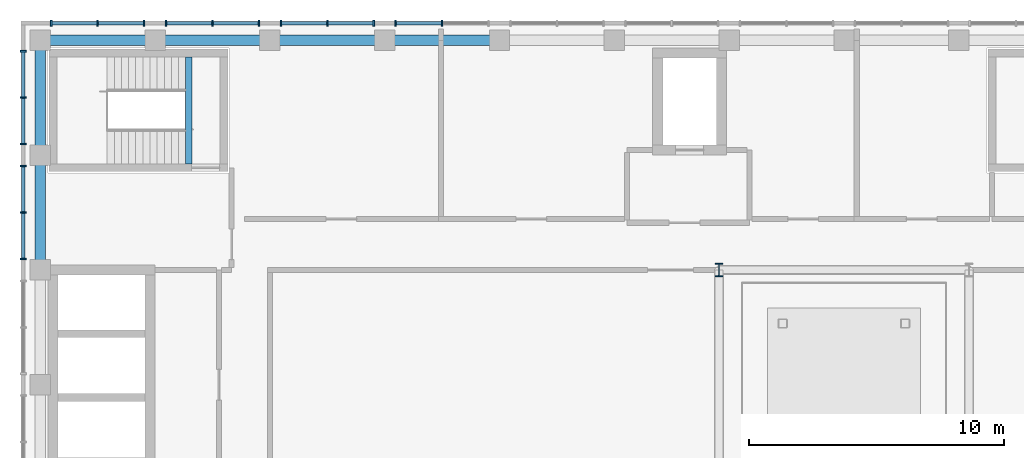
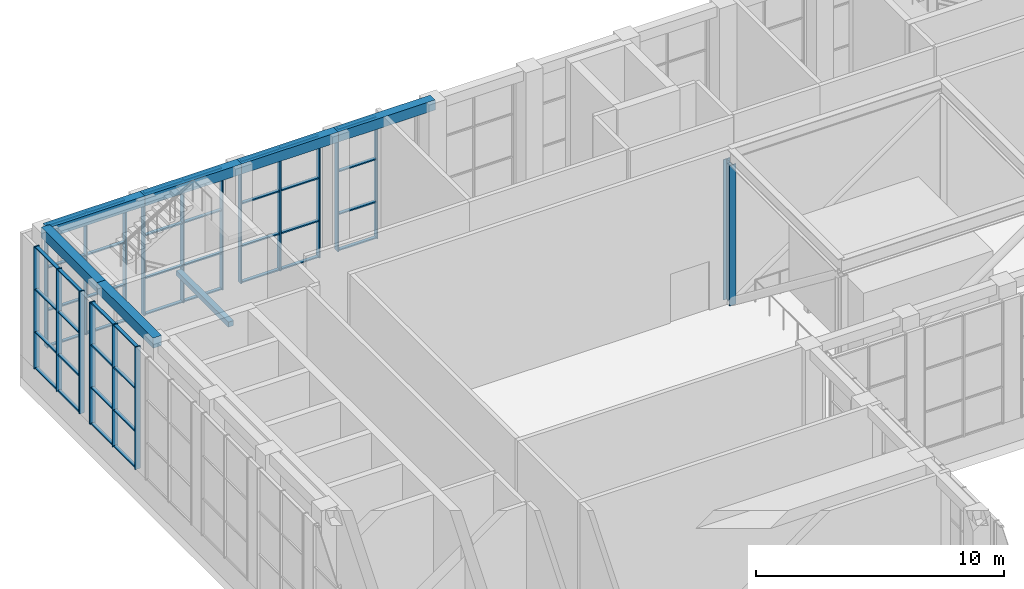
# One storey, part 6 of 17: 62 members, 7 beams, 6 elements without a shape of their own.
"""IFC4 building model written with IfcOpenShell, lengths in metres."""

from ifc_helpers import new_model, si_unit, direction, frame, origin, origin_2d, place, context, subcontext, project, spatial, rectangle, i_section, extrude, material, material_profile, profile_set, type_object, element, aggregate, save


model = new_model("IFC4")

# Units and contexts
model_context = context("Model", 3, precision=1e-05, world=origin(), true_north=direction((0.0, 1.0)))
body_context = subcontext(model_context, "Body", "Model", "MODEL_VIEW")
ifc_project = project(units=[si_unit("LENGTHUNIT", "METRE"), si_unit("AREAUNIT", "SQUARE_METRE"), si_unit("VOLUMEUNIT", "CUBIC_METRE"), si_unit("PLANEANGLEUNIT", "RADIAN"), si_unit("MASSUNIT", "GRAM", prefix="KILO")], contexts=[model_context])

# Site, building, storey
site_placement = place(None, origin())
site = spatial("IfcSite", under=ifc_project, at=site_placement, CompositionType="ELEMENT")
building_placement = place(site_placement, origin())
building = spatial("IfcBuilding", under=site, at=building_placement, Name="Firuza Court", CompositionType="ELEMENT")
storey_placement = place(building_placement, frame((0.0, 0.0, 258.199951171875)))
storey = spatial("IfcBuildingStorey", under=building, at=storey_placement, Name="L67", CompositionType="ELEMENT", Elevation=258.199951171875)

# Member
ifc_material_1 = material(Name="Steel S355", Category="steel")
ifc_material_profile_1 = material_profile(ifc_material_1, i_section(OverallWidth=0.305908203125, OverallDepth=0.52392578125, WebThickness=0.02099609375, FlangeThickness=0.0400390625, FilletRadius=0.027099609375, at=origin_2d()), Name="HE 500 M")
ifc_profile_set_1 = profile_set([ifc_material_profile_1], Name="Steel S355")
member_type_1 = type_object("IfcMemberType", Name="Damper frame column HE 500 M S355", PredefinedType="POST", material=ifc_profile_set_1)
member_1_placement = place(storey_placement, frame((26.60009765625, 49.5, 0.0), z_axis=(0.0, 0.0, 1.0), x_axis=(1.0, 0.0, 0.0)))
element("IfcMember", 1, at=member_1_placement, inside=storey, type_object=member_type_1, Name="Damper frame column TF1 L67", PredefinedType="POST", context=body_context, shape_type="SweptSolid", body=[
    extrude(i_section(OverallWidth=0.305908203125, OverallDepth=0.52392578125, WebThickness=0.02099609375, FlangeThickness=0.0400390625, FilletRadius=0.027099609375, at=origin_2d()), origin(), (0.0, 0.0, 1.0), 6.900146484375),
])

# Beam
ifc_material_2 = material(Name="Concrete C40/50", Category="concrete")
ifc_material_profile_2 = material_profile(ifc_material_2, rectangle(XDim=0.25, YDim=0.25, at=origin_2d()), Name="RC 250x250")
ifc_profile_set_2 = profile_set([ifc_material_profile_2], Name="Concrete C40/50")
beam_type_1 = type_object("IfcBeamType", Name="Landing beam RC 250x250 C40/50", PredefinedType="BEAM", material=ifc_profile_set_2)
beam_placement = place(storey_placement, frame((5.824951171875, 53.64990234375, 3.675048828125), z_axis=(0.0, 1.0, 0.0), x_axis=(-1.0, 0.0, 0.0)))
element("IfcBeam", 2, at=beam_placement, inside=storey, type_object=beam_type_1, Name="Landing beam S3 L67", PredefinedType="BEAM", context=body_context, shape_type="SweptSolid", body=[
    extrude(rectangle(XDim=0.25, YDim=0.25, at=origin_2d()), origin(), (0.0, 0.0, 1.0), 4.2001953125),
])

# Curtain wall, members
ifc_material_3 = material(Name="Aluminium curtain wall, triple clear glazing", Category="aluminium")
curtain_wall_type = type_object("IfcCurtainWallType", Name="Damper hall structural glazing CW4", PredefinedType="NOTDEFINED", material=ifc_material_3)
curtain_wall_1_placement = place(storey_placement, origin())
curtain_wall_1 = element("IfcCurtainWall", 3, at=curtain_wall_1_placement, inside=storey, type_object=curtain_wall_type, Name="Damper hall structural glazing CW4 L67", PredefinedType="NOTDEFINED")
ifc_material_4 = material(Name="Aluminium EN AW-6060 T66", Category="aluminium")
ifc_material_profile_3 = material_profile(ifc_material_4, rectangle(XDim=0.25, YDim=0.06005859375, at=origin_2d()), Name="Mullion 250 x 60 CW4")
ifc_profile_set_3 = profile_set([ifc_material_profile_3], Name="Aluminium EN AW-6060 T66")
member_type_2 = type_object("IfcMemberType", Name="Mullion 250 x 60 CW4", PredefinedType="MULLION", material=ifc_profile_set_3)
member_2_placement = place(storey_placement, frame((15.75, 59.169921875, 1.10009765625), z_axis=(0.0, 0.0, 1.0), x_axis=(0.0, -1.0, 0.0)))
member_2 = element("IfcMember", 4, at=member_2_placement, type_object=member_type_2, Name="CW4 mullion 2", PredefinedType="MULLION", context=body_context, shape_type="SweptSolid", body=[
    extrude(rectangle(XDim=0.25, YDim=0.06005859375, at=origin_2d()), origin(), (0.0, 0.0, 1.0), 6.0),
])
member_3_placement = place(storey_placement, frame((13.929931640625, 59.169921875, 1.10009765625), z_axis=(0.0, 0.0, 1.0), x_axis=(0.0, -1.0, 0.0)))
member_3 = element("IfcMember", 5, at=member_3_placement, type_object=member_type_2, Name="CW4 mullion 3", PredefinedType="MULLION", context=body_context, shape_type="SweptSolid", body=[
    extrude(rectangle(XDim=0.25, YDim=0.06005859375, at=origin_2d()), origin(), (0.0, 0.0, 1.0), 6.0),
])

curtain_wall_2_placement = place(storey_placement, origin())
curtain_wall_2 = element("IfcCurtainWall", 6, at=curtain_wall_2_placement, inside=storey, type_object=curtain_wall_type, Name="Damper hall structural glazing CW4 L67", PredefinedType="NOTDEFINED")
member_4_placement = place(storey_placement, frame((13.070068359375, 59.169921875, 1.10009765625), z_axis=(0.0, 0.0, 1.0), x_axis=(0.0, -1.0, 0.0)))
member_4 = element("IfcMember", 7, at=member_4_placement, type_object=member_type_2, Name="CW4 mullion 1", PredefinedType="MULLION", context=body_context, shape_type="SweptSolid", body=[
    extrude(rectangle(XDim=0.25, YDim=0.06005859375, at=origin_2d()), origin(), (0.0, 0.0, 1.0), 6.0),
])
member_5_placement = place(storey_placement, frame((11.25, 59.169921875, 1.10009765625), z_axis=(0.0, 0.0, 1.0), x_axis=(0.0, -1.0, 0.0)))
member_5 = element("IfcMember", 8, at=member_5_placement, type_object=member_type_2, Name="CW4 mullion 2", PredefinedType="MULLION", context=body_context, shape_type="SweptSolid", body=[
    extrude(rectangle(XDim=0.25, YDim=0.06005859375, at=origin_2d()), origin(), (0.0, 0.0, 1.0), 6.0),
])
member_6_placement = place(storey_placement, frame((9.429931640625, 59.169921875, 1.10009765625), z_axis=(0.0, 0.0, 1.0), x_axis=(0.0, -1.0, 0.0)))
member_6 = element("IfcMember", 9, at=member_6_placement, type_object=member_type_2, Name="CW4 mullion 3", PredefinedType="MULLION", context=body_context, shape_type="SweptSolid", body=[
    extrude(rectangle(XDim=0.25, YDim=0.06005859375, at=origin_2d()), origin(), (0.0, 0.0, 1.0), 6.0),
])

curtain_wall_3_placement = place(storey_placement, origin())
curtain_wall_3 = element("IfcCurtainWall", 10, at=curtain_wall_3_placement, inside=storey, type_object=curtain_wall_type, Name="Damper hall structural glazing CW4 L67", PredefinedType="NOTDEFINED")
member_7_placement = place(storey_placement, frame((8.570068359375, 59.169921875, 1.10009765625), z_axis=(0.0, 0.0, 1.0), x_axis=(0.0, -1.0, 0.0)))
member_7 = element("IfcMember", 11, at=member_7_placement, type_object=member_type_2, Name="CW4 mullion 1", PredefinedType="MULLION", context=body_context, shape_type="SweptSolid", body=[
    extrude(rectangle(XDim=0.25, YDim=0.06005859375, at=origin_2d()), origin(), (0.0, 0.0, 1.0), 6.0),
])
member_8_placement = place(storey_placement, frame((6.75, 59.169921875, 1.10009765625), z_axis=(0.0, 0.0, 1.0), x_axis=(0.0, -1.0, 0.0)))
member_8 = element("IfcMember", 12, at=member_8_placement, type_object=member_type_2, Name="CW4 mullion 2", PredefinedType="MULLION", context=body_context, shape_type="SweptSolid", body=[
    extrude(rectangle(XDim=0.25, YDim=0.06005859375, at=origin_2d()), origin(), (0.0, 0.0, 1.0), 6.0),
])
member_9_placement = place(storey_placement, frame((4.929931640625, 59.169921875, 1.10009765625), z_axis=(0.0, 0.0, 1.0), x_axis=(0.0, -1.0, 0.0)))
member_9 = element("IfcMember", 13, at=member_9_placement, type_object=member_type_2, Name="CW4 mullion 3", PredefinedType="MULLION", context=body_context, shape_type="SweptSolid", body=[
    extrude(rectangle(XDim=0.25, YDim=0.06005859375, at=origin_2d()), origin(), (0.0, 0.0, 1.0), 6.0),
])

curtain_wall_4_placement = place(storey_placement, origin())
curtain_wall_4 = element("IfcCurtainWall", 14, at=curtain_wall_4_placement, inside=storey, type_object=curtain_wall_type, Name="Damper hall structural glazing CW4 L67", PredefinedType="NOTDEFINED")
member_10_placement = place(storey_placement, frame((4.070068359375, 59.169921875, 1.10009765625), z_axis=(0.0, 0.0, 1.0), x_axis=(0.0, -1.0, 0.0)))
member_10 = element("IfcMember", 15, at=member_10_placement, type_object=member_type_2, Name="CW4 mullion 1", PredefinedType="MULLION", context=body_context, shape_type="SweptSolid", body=[
    extrude(rectangle(XDim=0.25, YDim=0.06005859375, at=origin_2d()), origin(), (0.0, 0.0, 1.0), 6.0),
])
member_11_placement = place(storey_placement, frame((2.25, 59.169921875, 1.10009765625), z_axis=(0.0, 0.0, 1.0), x_axis=(0.0, -1.0, 0.0)))
member_11 = element("IfcMember", 16, at=member_11_placement, type_object=member_type_2, Name="CW4 mullion 2", PredefinedType="MULLION", context=body_context, shape_type="SweptSolid", body=[
    extrude(rectangle(XDim=0.25, YDim=0.06005859375, at=origin_2d()), origin(), (0.0, 0.0, 1.0), 6.0),
])
member_12_placement = place(storey_placement, frame((0.429931640625, 59.169921875, 1.10009765625), z_axis=(0.0, 0.0, 1.0), x_axis=(0.0, -1.0, 0.0)))
member_12 = element("IfcMember", 17, at=member_12_placement, type_object=member_type_2, Name="CW4 mullion 3", PredefinedType="MULLION", context=body_context, shape_type="SweptSolid", body=[
    extrude(rectangle(XDim=0.25, YDim=0.06005859375, at=origin_2d()), origin(), (0.0, 0.0, 1.0), 6.0),
])

curtain_wall_5_placement = place(storey_placement, origin())
curtain_wall_5 = element("IfcCurtainWall", 18, at=curtain_wall_5_placement, inside=storey, type_object=curtain_wall_type, Name="Damper hall structural glazing CW4 L67", PredefinedType="NOTDEFINED")
member_13_placement = place(storey_placement, frame((-0.669921875, 58.070068359375, 1.10009765625), z_axis=(0.0, 0.0, 1.0), x_axis=(1.0, 0.0, 0.0)))
member_13 = element("IfcMember", 19, at=member_13_placement, type_object=member_type_2, Name="CW4 mullion 1", PredefinedType="MULLION", context=body_context, shape_type="SweptSolid", body=[
    extrude(rectangle(XDim=0.25, YDim=0.06005859375, at=origin_2d()), origin(), (0.0, 0.0, 1.0), 6.0),
])
member_14_placement = place(storey_placement, frame((-0.669921875, 56.25, 1.10009765625), z_axis=(0.0, 0.0, 1.0), x_axis=(1.0, 0.0, 0.0)))
member_14 = element("IfcMember", 20, at=member_14_placement, type_object=member_type_2, Name="CW4 mullion 2", PredefinedType="MULLION", context=body_context, shape_type="SweptSolid", body=[
    extrude(rectangle(XDim=0.25, YDim=0.06005859375, at=origin_2d()), origin(), (0.0, 0.0, 1.0), 6.0),
])
member_15_placement = place(storey_placement, frame((-0.669921875, 54.429931640625, 1.10009765625), z_axis=(0.0, 0.0, 1.0), x_axis=(1.0, 0.0, 0.0)))
member_15 = element("IfcMember", 21, at=member_15_placement, type_object=member_type_2, Name="CW4 mullion 3", PredefinedType="MULLION", context=body_context, shape_type="SweptSolid", body=[
    extrude(rectangle(XDim=0.25, YDim=0.06005859375, at=origin_2d()), origin(), (0.0, 0.0, 1.0), 6.0),
])

curtain_wall_6_placement = place(storey_placement, origin())
curtain_wall_6 = element("IfcCurtainWall", 22, at=curtain_wall_6_placement, inside=storey, type_object=curtain_wall_type, Name="Damper hall structural glazing CW4 L67", PredefinedType="NOTDEFINED")
member_16_placement = place(storey_placement, frame((-0.669921875, 53.570068359375, 1.10009765625), z_axis=(0.0, 0.0, 1.0), x_axis=(1.0, 0.0, 0.0)))
member_16 = element("IfcMember", 23, at=member_16_placement, type_object=member_type_2, Name="CW4 mullion 1", PredefinedType="MULLION", context=body_context, shape_type="SweptSolid", body=[
    extrude(rectangle(XDim=0.25, YDim=0.06005859375, at=origin_2d()), origin(), (0.0, 0.0, 1.0), 6.0),
])
member_17_placement = place(storey_placement, frame((-0.669921875, 51.75, 1.10009765625), z_axis=(0.0, 0.0, 1.0), x_axis=(1.0, 0.0, 0.0)))
member_17 = element("IfcMember", 24, at=member_17_placement, type_object=member_type_2, Name="CW4 mullion 2", PredefinedType="MULLION", context=body_context, shape_type="SweptSolid", body=[
    extrude(rectangle(XDim=0.25, YDim=0.06005859375, at=origin_2d()), origin(), (0.0, 0.0, 1.0), 6.0),
])
member_18_placement = place(storey_placement, frame((-0.669921875, 49.929931640625, 1.10009765625), z_axis=(0.0, 0.0, 1.0), x_axis=(1.0, 0.0, 0.0)))
member_18 = element("IfcMember", 25, at=member_18_placement, type_object=member_type_2, Name="CW4 mullion 3", PredefinedType="MULLION", context=body_context, shape_type="SweptSolid", body=[
    extrude(rectangle(XDim=0.25, YDim=0.06005859375, at=origin_2d()), origin(), (0.0, 0.0, 1.0), 6.0),
])

# Beams
ifc_material_5 = material(Name="Concrete C40/50", Category="concrete")
ifc_material_profile_4 = material_profile(ifc_material_5, rectangle(XDim=0.39990234375, YDim=0.5, at=origin_2d()), Name="RC 400x500")
ifc_profile_set_4 = profile_set([ifc_material_profile_4], Name="Concrete C40/50")
beam_type_2 = type_object("IfcBeamType", Name="Spandrel beam RC 400x500 C40/50", PredefinedType="BEAM", material=ifc_profile_set_4)
for number, where, z_axis, x_axis, name in (
    (26, (0.0, 54.0, 7.35009765625), (0.0, -1.0, 0.0), (1.0, 0.0, 0.0), "Spandrel beam SP18 level L68"),
    (27, (0.0, 58.5, 7.35009765625), (0.0, -1.0, 0.0), (1.0, 0.0, 0.0), "Spandrel beam SP18 level L68"),
    (28, (4.5, 58.5, 7.35009765625), (-1.0, 0.0, 0.0), (0.0, -1.0, 0.0), "Spandrel beam SP18 level L68"),
    (29, (9.0, 58.5, 7.35009765625), (-1.0, 0.0, 0.0), (0.0, -1.0, 0.0), "Spandrel beam SP18 level L68"),
    (30, (13.5, 58.5, 7.35009765625), (-1.0, 0.0, 0.0), (0.0, -1.0, 0.0), "Spandrel beam SP18 level L68"),
    (31, (18.0, 58.5, 7.35009765625), (-1.0, 0.0, 0.0), (0.0, -1.0, 0.0), "Spandrel beam SP18 level L68"),
):
    element("IfcBeam", number, at=place(storey_placement, frame(where, z_axis=z_axis, x_axis=x_axis)), inside=storey, type_object=beam_type_2, Name=name, PredefinedType="BEAM", context=body_context, shape_type="SweptSolid", body=[
        extrude(rectangle(XDim=0.39990234375, YDim=0.5, at=origin_2d()), origin(), (0.0, 0.0, 1.0), 4.5),
    ])

# Member
ifc_material_6 = material(Name="Aluminium EN AW-6060 T66", Category="aluminium")
ifc_material_profile_5 = material_profile(ifc_material_6, rectangle(XDim=0.14990234375, YDim=0.06005859375, at=origin_2d()), Name="Transom 150 x 60 CW4")
ifc_profile_set_5 = profile_set([ifc_material_profile_5], Name="Aluminium EN AW-6060 T66")
member_type_3 = type_object("IfcMemberType", Name="Transom 150 x 60 CW4", PredefinedType="USERDEFINED", material=ifc_profile_set_5)
member_19_placement = place(storey_placement, frame((15.719970703125, 59.169921875, 1.130126953125), z_axis=(-1.0, 0.0, 0.0), x_axis=(0.0, -1.0, 0.0)))
member_19 = element("IfcMember", 32, at=member_19_placement, type_object=member_type_3, Name="CW4 transom 2.1", ObjectType="TRANSOM", PredefinedType="USERDEFINED", context=body_context, shape_type="SweptSolid", body=[
    extrude(rectangle(XDim=0.14990234375, YDim=0.06005859375, at=origin_2d()), origin(), (0.0, 0.0, 1.0), 1.760009765625),
])

member_20_placement = place(storey_placement, frame((15.719970703125, 59.169921875, 2.900146484375), z_axis=(-1.0, 0.0, 0.0), x_axis=(0.0, -1.0, 0.0)))
member_20 = element("IfcMember", 33, at=member_20_placement, type_object=member_type_3, Name="CW4 transom 2.2", ObjectType="TRANSOM", PredefinedType="USERDEFINED", context=body_context, shape_type="SweptSolid", body=[
    extrude(rectangle(XDim=0.14990234375, YDim=0.06005859375, at=origin_2d()), origin(), (0.0, 0.0, 1.0), 1.760009765625),
])

member_21_placement = place(storey_placement, frame((15.719970703125, 59.169921875, 5.0), z_axis=(-1.0, 0.0, 0.0), x_axis=(0.0, -1.0, 0.0)))
member_21 = element("IfcMember", 34, at=member_21_placement, type_object=member_type_3, Name="CW4 transom 2.3", ObjectType="TRANSOM", PredefinedType="USERDEFINED", context=body_context, shape_type="SweptSolid", body=[
    extrude(rectangle(XDim=0.14990234375, YDim=0.06005859375, at=origin_2d()), origin(), (0.0, 0.0, 1.0), 1.760009765625),
])

member_22_placement = place(storey_placement, frame((15.719970703125, 59.169921875, 7.070068359375), z_axis=(-1.0, 0.0, 0.0), x_axis=(0.0, -1.0, 0.0)))
member_22 = element("IfcMember", 35, at=member_22_placement, type_object=member_type_3, Name="CW4 transom 2.4", ObjectType="TRANSOM", PredefinedType="USERDEFINED", context=body_context, shape_type="SweptSolid", body=[
    extrude(rectangle(XDim=0.14990234375, YDim=0.06005859375, at=origin_2d()), origin(), (0.0, 0.0, 1.0), 1.760009765625),
])

aggregate(curtain_wall_1, [member_2, member_3, member_19, member_20, member_21, member_22])

member_23_placement = place(storey_placement, frame((13.0400390625, 59.169921875, 1.130126953125), z_axis=(-1.0, 0.0, 0.0), x_axis=(0.0, -1.0, 0.0)))
member_23 = element("IfcMember", 36, at=member_23_placement, type_object=member_type_3, Name="CW4 transom 1.1", ObjectType="TRANSOM", PredefinedType="USERDEFINED", context=body_context, shape_type="SweptSolid", body=[
    extrude(rectangle(XDim=0.14990234375, YDim=0.06005859375, at=origin_2d()), origin(), (0.0, 0.0, 1.0), 1.760009765625),
])

member_24_placement = place(storey_placement, frame((13.0400390625, 59.169921875, 2.900146484375), z_axis=(-1.0, 0.0, 0.0), x_axis=(0.0, -1.0, 0.0)))
member_24 = element("IfcMember", 37, at=member_24_placement, type_object=member_type_3, Name="CW4 transom 1.2", ObjectType="TRANSOM", PredefinedType="USERDEFINED", context=body_context, shape_type="SweptSolid", body=[
    extrude(rectangle(XDim=0.14990234375, YDim=0.06005859375, at=origin_2d()), origin(), (0.0, 0.0, 1.0), 1.760009765625),
])

member_25_placement = place(storey_placement, frame((13.0400390625, 59.169921875, 5.0), z_axis=(-1.0, 0.0, 0.0), x_axis=(0.0, -1.0, 0.0)))
member_25 = element("IfcMember", 38, at=member_25_placement, type_object=member_type_3, Name="CW4 transom 1.3", ObjectType="TRANSOM", PredefinedType="USERDEFINED", context=body_context, shape_type="SweptSolid", body=[
    extrude(rectangle(XDim=0.14990234375, YDim=0.06005859375, at=origin_2d()), origin(), (0.0, 0.0, 1.0), 1.760009765625),
])

member_26_placement = place(storey_placement, frame((13.0400390625, 59.169921875, 7.070068359375), z_axis=(-1.0, 0.0, 0.0), x_axis=(0.0, -1.0, 0.0)))
member_26 = element("IfcMember", 39, at=member_26_placement, type_object=member_type_3, Name="CW4 transom 1.4", ObjectType="TRANSOM", PredefinedType="USERDEFINED", context=body_context, shape_type="SweptSolid", body=[
    extrude(rectangle(XDim=0.14990234375, YDim=0.06005859375, at=origin_2d()), origin(), (0.0, 0.0, 1.0), 1.760009765625),
])

member_27_placement = place(storey_placement, frame((11.219970703125, 59.169921875, 1.130126953125), z_axis=(-1.0, 0.0, 0.0), x_axis=(0.0, -1.0, 0.0)))
member_27 = element("IfcMember", 40, at=member_27_placement, type_object=member_type_3, Name="CW4 transom 2.1", ObjectType="TRANSOM", PredefinedType="USERDEFINED", context=body_context, shape_type="SweptSolid", body=[
    extrude(rectangle(XDim=0.14990234375, YDim=0.06005859375, at=origin_2d()), origin(), (0.0, 0.0, 1.0), 1.760009765625),
])

member_28_placement = place(storey_placement, frame((11.219970703125, 59.169921875, 2.900146484375), z_axis=(-1.0, 0.0, 0.0), x_axis=(0.0, -1.0, 0.0)))
member_28 = element("IfcMember", 41, at=member_28_placement, type_object=member_type_3, Name="CW4 transom 2.2", ObjectType="TRANSOM", PredefinedType="USERDEFINED", context=body_context, shape_type="SweptSolid", body=[
    extrude(rectangle(XDim=0.14990234375, YDim=0.06005859375, at=origin_2d()), origin(), (0.0, 0.0, 1.0), 1.760009765625),
])

member_29_placement = place(storey_placement, frame((11.219970703125, 59.169921875, 5.0), z_axis=(-1.0, 0.0, 0.0), x_axis=(0.0, -1.0, 0.0)))
member_29 = element("IfcMember", 42, at=member_29_placement, type_object=member_type_3, Name="CW4 transom 2.3", ObjectType="TRANSOM", PredefinedType="USERDEFINED", context=body_context, shape_type="SweptSolid", body=[
    extrude(rectangle(XDim=0.14990234375, YDim=0.06005859375, at=origin_2d()), origin(), (0.0, 0.0, 1.0), 1.760009765625),
])

member_30_placement = place(storey_placement, frame((11.219970703125, 59.169921875, 7.070068359375), z_axis=(-1.0, 0.0, 0.0), x_axis=(0.0, -1.0, 0.0)))
member_30 = element("IfcMember", 43, at=member_30_placement, type_object=member_type_3, Name="CW4 transom 2.4", ObjectType="TRANSOM", PredefinedType="USERDEFINED", context=body_context, shape_type="SweptSolid", body=[
    extrude(rectangle(XDim=0.14990234375, YDim=0.06005859375, at=origin_2d()), origin(), (0.0, 0.0, 1.0), 1.760009765625),
])

aggregate(curtain_wall_2, [member_4, member_5, member_6, member_23, member_24, member_25, member_26, member_27, member_28, member_29, member_30])

member_31_placement = place(storey_placement, frame((8.5400390625, 59.169921875, 1.130126953125), z_axis=(-1.0, 0.0, 0.0), x_axis=(0.0, -1.0, 0.0)))
member_31 = element("IfcMember", 44, at=member_31_placement, type_object=member_type_3, Name="CW4 transom 1.1", ObjectType="TRANSOM", PredefinedType="USERDEFINED", context=body_context, shape_type="SweptSolid", body=[
    extrude(rectangle(XDim=0.14990234375, YDim=0.06005859375, at=origin_2d()), origin(), (0.0, 0.0, 1.0), 1.760009765625),
])

member_32_placement = place(storey_placement, frame((8.5400390625, 59.169921875, 2.900146484375), z_axis=(-1.0, 0.0, 0.0), x_axis=(0.0, -1.0, 0.0)))
member_32 = element("IfcMember", 45, at=member_32_placement, type_object=member_type_3, Name="CW4 transom 1.2", ObjectType="TRANSOM", PredefinedType="USERDEFINED", context=body_context, shape_type="SweptSolid", body=[
    extrude(rectangle(XDim=0.14990234375, YDim=0.06005859375, at=origin_2d()), origin(), (0.0, 0.0, 1.0), 1.760009765625),
])

member_33_placement = place(storey_placement, frame((8.5400390625, 59.169921875, 5.0), z_axis=(-1.0, 0.0, 0.0), x_axis=(0.0, -1.0, 0.0)))
member_33 = element("IfcMember", 46, at=member_33_placement, type_object=member_type_3, Name="CW4 transom 1.3", ObjectType="TRANSOM", PredefinedType="USERDEFINED", context=body_context, shape_type="SweptSolid", body=[
    extrude(rectangle(XDim=0.14990234375, YDim=0.06005859375, at=origin_2d()), origin(), (0.0, 0.0, 1.0), 1.760009765625),
])

member_34_placement = place(storey_placement, frame((8.5400390625, 59.169921875, 7.070068359375), z_axis=(-1.0, 0.0, 0.0), x_axis=(0.0, -1.0, 0.0)))
member_34 = element("IfcMember", 47, at=member_34_placement, type_object=member_type_3, Name="CW4 transom 1.4", ObjectType="TRANSOM", PredefinedType="USERDEFINED", context=body_context, shape_type="SweptSolid", body=[
    extrude(rectangle(XDim=0.14990234375, YDim=0.06005859375, at=origin_2d()), origin(), (0.0, 0.0, 1.0), 1.760009765625),
])

member_35_placement = place(storey_placement, frame((6.719970703125, 59.169921875, 1.130126953125), z_axis=(-1.0, 0.0, 0.0), x_axis=(0.0, -1.0, 0.0)))
member_35 = element("IfcMember", 48, at=member_35_placement, type_object=member_type_3, Name="CW4 transom 2.1", ObjectType="TRANSOM", PredefinedType="USERDEFINED", context=body_context, shape_type="SweptSolid", body=[
    extrude(rectangle(XDim=0.14990234375, YDim=0.06005859375, at=origin_2d()), origin(), (0.0, 0.0, 1.0), 1.760009765625),
])

member_36_placement = place(storey_placement, frame((6.719970703125, 59.169921875, 2.900146484375), z_axis=(-1.0, 0.0, 0.0), x_axis=(0.0, -1.0, 0.0)))
member_36 = element("IfcMember", 49, at=member_36_placement, type_object=member_type_3, Name="CW4 transom 2.2", ObjectType="TRANSOM", PredefinedType="USERDEFINED", context=body_context, shape_type="SweptSolid", body=[
    extrude(rectangle(XDim=0.14990234375, YDim=0.06005859375, at=origin_2d()), origin(), (0.0, 0.0, 1.0), 1.760009765625),
])

member_37_placement = place(storey_placement, frame((6.719970703125, 59.169921875, 5.0), z_axis=(-1.0, 0.0, 0.0), x_axis=(0.0, -1.0, 0.0)))
member_37 = element("IfcMember", 50, at=member_37_placement, type_object=member_type_3, Name="CW4 transom 2.3", ObjectType="TRANSOM", PredefinedType="USERDEFINED", context=body_context, shape_type="SweptSolid", body=[
    extrude(rectangle(XDim=0.14990234375, YDim=0.06005859375, at=origin_2d()), origin(), (0.0, 0.0, 1.0), 1.760009765625),
])

member_38_placement = place(storey_placement, frame((6.719970703125, 59.169921875, 7.070068359375), z_axis=(-1.0, 0.0, 0.0), x_axis=(0.0, -1.0, 0.0)))
member_38 = element("IfcMember", 51, at=member_38_placement, type_object=member_type_3, Name="CW4 transom 2.4", ObjectType="TRANSOM", PredefinedType="USERDEFINED", context=body_context, shape_type="SweptSolid", body=[
    extrude(rectangle(XDim=0.14990234375, YDim=0.06005859375, at=origin_2d()), origin(), (0.0, 0.0, 1.0), 1.760009765625),
])

aggregate(curtain_wall_3, [member_7, member_8, member_9, member_31, member_32, member_33, member_34, member_35, member_36, member_37, member_38])

member_39_placement = place(storey_placement, frame((4.0400390625, 59.169921875, 1.130126953125), z_axis=(-1.0, 0.0, 0.0), x_axis=(0.0, -1.0, 0.0)))
member_39 = element("IfcMember", 52, at=member_39_placement, type_object=member_type_3, Name="CW4 transom 1.1", ObjectType="TRANSOM", PredefinedType="USERDEFINED", context=body_context, shape_type="SweptSolid", body=[
    extrude(rectangle(XDim=0.14990234375, YDim=0.06005859375, at=origin_2d()), origin(), (0.0, 0.0, 1.0), 1.760009765625),
])

member_40_placement = place(storey_placement, frame((4.0400390625, 59.169921875, 2.900146484375), z_axis=(-1.0, 0.0, 0.0), x_axis=(0.0, -1.0, 0.0)))
member_40 = element("IfcMember", 53, at=member_40_placement, type_object=member_type_3, Name="CW4 transom 1.2", ObjectType="TRANSOM", PredefinedType="USERDEFINED", context=body_context, shape_type="SweptSolid", body=[
    extrude(rectangle(XDim=0.14990234375, YDim=0.06005859375, at=origin_2d()), origin(), (0.0, 0.0, 1.0), 1.760009765625),
])

member_41_placement = place(storey_placement, frame((4.0400390625, 59.169921875, 5.0), z_axis=(-1.0, 0.0, 0.0), x_axis=(0.0, -1.0, 0.0)))
member_41 = element("IfcMember", 54, at=member_41_placement, type_object=member_type_3, Name="CW4 transom 1.3", ObjectType="TRANSOM", PredefinedType="USERDEFINED", context=body_context, shape_type="SweptSolid", body=[
    extrude(rectangle(XDim=0.14990234375, YDim=0.06005859375, at=origin_2d()), origin(), (0.0, 0.0, 1.0), 1.760009765625),
])

member_42_placement = place(storey_placement, frame((4.0400390625, 59.169921875, 7.070068359375), z_axis=(-1.0, 0.0, 0.0), x_axis=(0.0, -1.0, 0.0)))
member_42 = element("IfcMember", 55, at=member_42_placement, type_object=member_type_3, Name="CW4 transom 1.4", ObjectType="TRANSOM", PredefinedType="USERDEFINED", context=body_context, shape_type="SweptSolid", body=[
    extrude(rectangle(XDim=0.14990234375, YDim=0.06005859375, at=origin_2d()), origin(), (0.0, 0.0, 1.0), 1.760009765625),
])

member_43_placement = place(storey_placement, frame((2.219970703125, 59.169921875, 1.130126953125), z_axis=(-1.0, 0.0, 0.0), x_axis=(0.0, -1.0, 0.0)))
member_43 = element("IfcMember", 56, at=member_43_placement, type_object=member_type_3, Name="CW4 transom 2.1", ObjectType="TRANSOM", PredefinedType="USERDEFINED", context=body_context, shape_type="SweptSolid", body=[
    extrude(rectangle(XDim=0.14990234375, YDim=0.06005859375, at=origin_2d()), origin(), (0.0, 0.0, 1.0), 1.760009765625),
])

member_44_placement = place(storey_placement, frame((2.219970703125, 59.169921875, 2.900146484375), z_axis=(-1.0, 0.0, 0.0), x_axis=(0.0, -1.0, 0.0)))
member_44 = element("IfcMember", 57, at=member_44_placement, type_object=member_type_3, Name="CW4 transom 2.2", ObjectType="TRANSOM", PredefinedType="USERDEFINED", context=body_context, shape_type="SweptSolid", body=[
    extrude(rectangle(XDim=0.14990234375, YDim=0.06005859375, at=origin_2d()), origin(), (0.0, 0.0, 1.0), 1.760009765625),
])

member_45_placement = place(storey_placement, frame((2.219970703125, 59.169921875, 5.0), z_axis=(-1.0, 0.0, 0.0), x_axis=(0.0, -1.0, 0.0)))
member_45 = element("IfcMember", 58, at=member_45_placement, type_object=member_type_3, Name="CW4 transom 2.3", ObjectType="TRANSOM", PredefinedType="USERDEFINED", context=body_context, shape_type="SweptSolid", body=[
    extrude(rectangle(XDim=0.14990234375, YDim=0.06005859375, at=origin_2d()), origin(), (0.0, 0.0, 1.0), 1.760009765625),
])

member_46_placement = place(storey_placement, frame((2.219970703125, 59.169921875, 7.070068359375), z_axis=(-1.0, 0.0, 0.0), x_axis=(0.0, -1.0, 0.0)))
member_46 = element("IfcMember", 59, at=member_46_placement, type_object=member_type_3, Name="CW4 transom 2.4", ObjectType="TRANSOM", PredefinedType="USERDEFINED", context=body_context, shape_type="SweptSolid", body=[
    extrude(rectangle(XDim=0.14990234375, YDim=0.06005859375, at=origin_2d()), origin(), (0.0, 0.0, 1.0), 1.760009765625),
])

aggregate(curtain_wall_4, [member_10, member_11, member_12, member_39, member_40, member_41, member_42, member_43, member_44, member_45, member_46])

member_47_placement = place(storey_placement, frame((-0.669921875, 58.0400390625, 1.130126953125), z_axis=(0.0, -1.0, 0.0), x_axis=(1.0, 0.0, 0.0)))
member_47 = element("IfcMember", 60, at=member_47_placement, type_object=member_type_3, Name="CW4 transom 1.1", ObjectType="TRANSOM", PredefinedType="USERDEFINED", context=body_context, shape_type="SweptSolid", body=[
    extrude(rectangle(XDim=0.14990234375, YDim=0.06005859375, at=origin_2d()), origin(), (0.0, 0.0, 1.0), 1.760009765625),
])

member_48_placement = place(storey_placement, frame((-0.669921875, 58.0400390625, 2.900146484375), z_axis=(0.0, -1.0, 0.0), x_axis=(1.0, 0.0, 0.0)))
member_48 = element("IfcMember", 61, at=member_48_placement, type_object=member_type_3, Name="CW4 transom 1.2", ObjectType="TRANSOM", PredefinedType="USERDEFINED", context=body_context, shape_type="SweptSolid", body=[
    extrude(rectangle(XDim=0.14990234375, YDim=0.06005859375, at=origin_2d()), origin(), (0.0, 0.0, 1.0), 1.760009765625),
])

member_49_placement = place(storey_placement, frame((-0.669921875, 58.0400390625, 5.0), z_axis=(0.0, -1.0, 0.0), x_axis=(1.0, 0.0, 0.0)))
member_49 = element("IfcMember", 62, at=member_49_placement, type_object=member_type_3, Name="CW4 transom 1.3", ObjectType="TRANSOM", PredefinedType="USERDEFINED", context=body_context, shape_type="SweptSolid", body=[
    extrude(rectangle(XDim=0.14990234375, YDim=0.06005859375, at=origin_2d()), origin(), (0.0, 0.0, 1.0), 1.760009765625),
])

member_50_placement = place(storey_placement, frame((-0.669921875, 58.0400390625, 7.070068359375), z_axis=(0.0, -1.0, 0.0), x_axis=(1.0, 0.0, 0.0)))
member_50 = element("IfcMember", 63, at=member_50_placement, type_object=member_type_3, Name="CW4 transom 1.4", ObjectType="TRANSOM", PredefinedType="USERDEFINED", context=body_context, shape_type="SweptSolid", body=[
    extrude(rectangle(XDim=0.14990234375, YDim=0.06005859375, at=origin_2d()), origin(), (0.0, 0.0, 1.0), 1.760009765625),
])

member_51_placement = place(storey_placement, frame((-0.669921875, 56.219970703125, 1.130126953125), z_axis=(0.0, -1.0, 0.0), x_axis=(1.0, 0.0, 0.0)))
member_51 = element("IfcMember", 64, at=member_51_placement, type_object=member_type_3, Name="CW4 transom 2.1", ObjectType="TRANSOM", PredefinedType="USERDEFINED", context=body_context, shape_type="SweptSolid", body=[
    extrude(rectangle(XDim=0.14990234375, YDim=0.06005859375, at=origin_2d()), origin(), (0.0, 0.0, 1.0), 1.760009765625),
])

member_52_placement = place(storey_placement, frame((-0.669921875, 56.219970703125, 2.900146484375), z_axis=(0.0, -1.0, 0.0), x_axis=(1.0, 0.0, 0.0)))
member_52 = element("IfcMember", 65, at=member_52_placement, type_object=member_type_3, Name="CW4 transom 2.2", ObjectType="TRANSOM", PredefinedType="USERDEFINED", context=body_context, shape_type="SweptSolid", body=[
    extrude(rectangle(XDim=0.14990234375, YDim=0.06005859375, at=origin_2d()), origin(), (0.0, 0.0, 1.0), 1.760009765625),
])

member_53_placement = place(storey_placement, frame((-0.669921875, 56.219970703125, 5.0), z_axis=(0.0, -1.0, 0.0), x_axis=(1.0, 0.0, 0.0)))
member_53 = element("IfcMember", 66, at=member_53_placement, type_object=member_type_3, Name="CW4 transom 2.3", ObjectType="TRANSOM", PredefinedType="USERDEFINED", context=body_context, shape_type="SweptSolid", body=[
    extrude(rectangle(XDim=0.14990234375, YDim=0.06005859375, at=origin_2d()), origin(), (0.0, 0.0, 1.0), 1.760009765625),
])

member_54_placement = place(storey_placement, frame((-0.669921875, 56.219970703125, 7.070068359375), z_axis=(0.0, -1.0, 0.0), x_axis=(1.0, 0.0, 0.0)))
member_54 = element("IfcMember", 67, at=member_54_placement, type_object=member_type_3, Name="CW4 transom 2.4", ObjectType="TRANSOM", PredefinedType="USERDEFINED", context=body_context, shape_type="SweptSolid", body=[
    extrude(rectangle(XDim=0.14990234375, YDim=0.06005859375, at=origin_2d()), origin(), (0.0, 0.0, 1.0), 1.760009765625),
])

aggregate(curtain_wall_5, [member_13, member_14, member_15, member_47, member_48, member_49, member_50, member_51, member_52, member_53, member_54])

member_55_placement = place(storey_placement, frame((-0.669921875, 53.5400390625, 1.130126953125), z_axis=(0.0, -1.0, 0.0), x_axis=(1.0, 0.0, 0.0)))
member_55 = element("IfcMember", 68, at=member_55_placement, type_object=member_type_3, Name="CW4 transom 1.1", ObjectType="TRANSOM", PredefinedType="USERDEFINED", context=body_context, shape_type="SweptSolid", body=[
    extrude(rectangle(XDim=0.14990234375, YDim=0.06005859375, at=origin_2d()), origin(), (0.0, 0.0, 1.0), 1.760009765625),
])

member_56_placement = place(storey_placement, frame((-0.669921875, 53.5400390625, 2.900146484375), z_axis=(0.0, -1.0, 0.0), x_axis=(1.0, 0.0, 0.0)))
member_56 = element("IfcMember", 69, at=member_56_placement, type_object=member_type_3, Name="CW4 transom 1.2", ObjectType="TRANSOM", PredefinedType="USERDEFINED", context=body_context, shape_type="SweptSolid", body=[
    extrude(rectangle(XDim=0.14990234375, YDim=0.06005859375, at=origin_2d()), origin(), (0.0, 0.0, 1.0), 1.760009765625),
])

member_57_placement = place(storey_placement, frame((-0.669921875, 53.5400390625, 5.0), z_axis=(0.0, -1.0, 0.0), x_axis=(1.0, 0.0, 0.0)))
member_57 = element("IfcMember", 70, at=member_57_placement, type_object=member_type_3, Name="CW4 transom 1.3", ObjectType="TRANSOM", PredefinedType="USERDEFINED", context=body_context, shape_type="SweptSolid", body=[
    extrude(rectangle(XDim=0.14990234375, YDim=0.06005859375, at=origin_2d()), origin(), (0.0, 0.0, 1.0), 1.760009765625),
])

member_58_placement = place(storey_placement, frame((-0.669921875, 53.5400390625, 7.070068359375), z_axis=(0.0, -1.0, 0.0), x_axis=(1.0, 0.0, 0.0)))
member_58 = element("IfcMember", 71, at=member_58_placement, type_object=member_type_3, Name="CW4 transom 1.4", ObjectType="TRANSOM", PredefinedType="USERDEFINED", context=body_context, shape_type="SweptSolid", body=[
    extrude(rectangle(XDim=0.14990234375, YDim=0.06005859375, at=origin_2d()), origin(), (0.0, 0.0, 1.0), 1.760009765625),
])

member_59_placement = place(storey_placement, frame((-0.669921875, 51.719970703125, 1.130126953125), z_axis=(0.0, -1.0, 0.0), x_axis=(1.0, 0.0, 0.0)))
member_59 = element("IfcMember", 72, at=member_59_placement, type_object=member_type_3, Name="CW4 transom 2.1", ObjectType="TRANSOM", PredefinedType="USERDEFINED", context=body_context, shape_type="SweptSolid", body=[
    extrude(rectangle(XDim=0.14990234375, YDim=0.06005859375, at=origin_2d()), origin(), (0.0, 0.0, 1.0), 1.760009765625),
])

member_60_placement = place(storey_placement, frame((-0.669921875, 51.719970703125, 2.900146484375), z_axis=(0.0, -1.0, 0.0), x_axis=(1.0, 0.0, 0.0)))
member_60 = element("IfcMember", 73, at=member_60_placement, type_object=member_type_3, Name="CW4 transom 2.2", ObjectType="TRANSOM", PredefinedType="USERDEFINED", context=body_context, shape_type="SweptSolid", body=[
    extrude(rectangle(XDim=0.14990234375, YDim=0.06005859375, at=origin_2d()), origin(), (0.0, 0.0, 1.0), 1.760009765625),
])

member_61_placement = place(storey_placement, frame((-0.669921875, 51.719970703125, 5.0), z_axis=(0.0, -1.0, 0.0), x_axis=(1.0, 0.0, 0.0)))
member_61 = element("IfcMember", 74, at=member_61_placement, type_object=member_type_3, Name="CW4 transom 2.3", ObjectType="TRANSOM", PredefinedType="USERDEFINED", context=body_context, shape_type="SweptSolid", body=[
    extrude(rectangle(XDim=0.14990234375, YDim=0.06005859375, at=origin_2d()), origin(), (0.0, 0.0, 1.0), 1.760009765625),
])

member_62_placement = place(storey_placement, frame((-0.669921875, 51.719970703125, 7.070068359375), z_axis=(0.0, -1.0, 0.0), x_axis=(1.0, 0.0, 0.0)))
member_62 = element("IfcMember", 75, at=member_62_placement, type_object=member_type_3, Name="CW4 transom 2.4", ObjectType="TRANSOM", PredefinedType="USERDEFINED", context=body_context, shape_type="SweptSolid", body=[
    extrude(rectangle(XDim=0.14990234375, YDim=0.06005859375, at=origin_2d()), origin(), (0.0, 0.0, 1.0), 1.760009765625),
])

aggregate(curtain_wall_6, [member_16, member_17, member_18, member_55, member_56, member_57, member_58, member_59, member_60, member_61, member_62])

save(model, "model.ifc")
